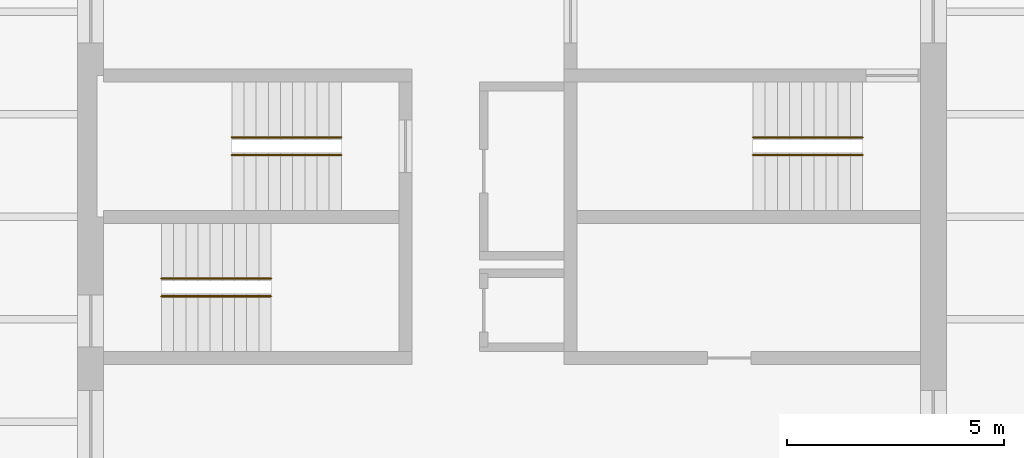
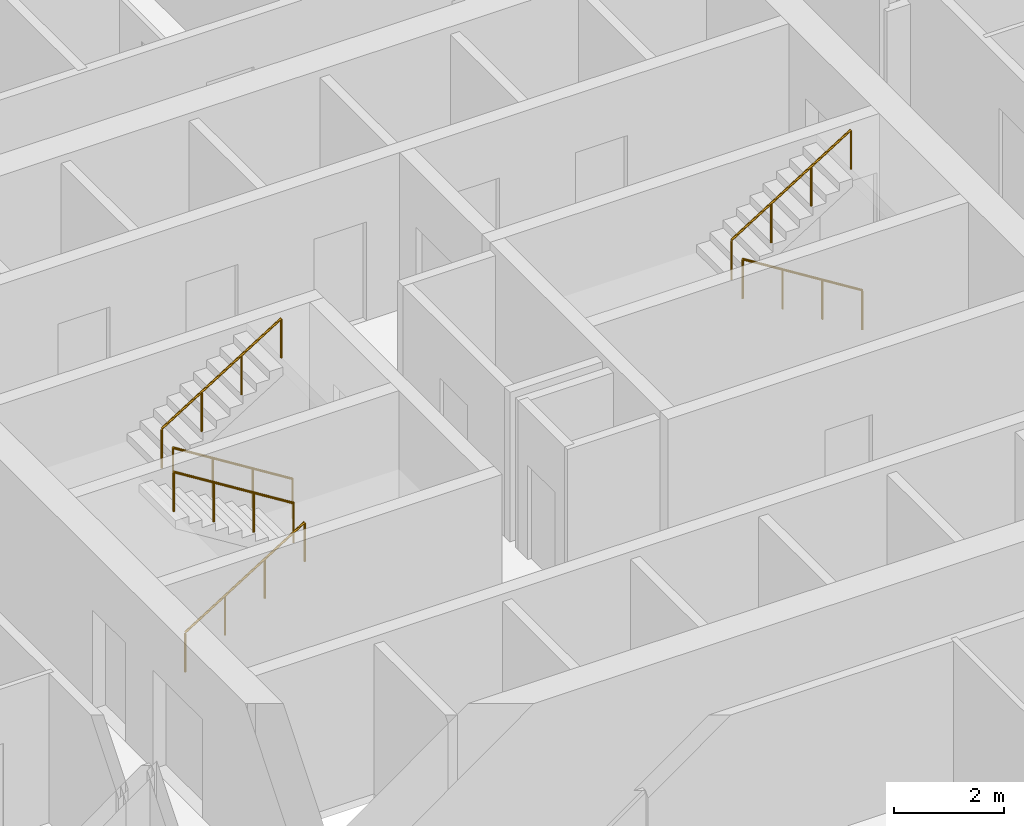
# One storey, part 9 of 9: 6 railings.
"""IFC4 building model written with IfcOpenShell, lengths in metres."""

from ifc_helpers import new_model, si_unit, direction, frame, origin, origin_2d, place, context, subcontext, project, spatial, circle, extrude, material, type_object, element, save


model = new_model("IFC4")

# Units and contexts
model_context = context("Model", 3, precision=1e-05, world=origin(), true_north=direction((0.0, 1.0)))
body_context = subcontext(model_context, "Body", "Model", "MODEL_VIEW")
ifc_project = project(units=[si_unit("LENGTHUNIT", "METRE"), si_unit("AREAUNIT", "SQUARE_METRE"), si_unit("VOLUMEUNIT", "CUBIC_METRE"), si_unit("PLANEANGLEUNIT", "RADIAN"), si_unit("MASSUNIT", "GRAM", prefix="KILO")], contexts=[model_context])

# Site, building, storey
site_placement = place(None, origin())
site = spatial("IfcSite", under=ifc_project, at=site_placement, CompositionType="ELEMENT")
building_placement = place(site_placement, origin())
building = spatial("IfcBuilding", under=site, at=building_placement, Name="Turquesa Mirador Hotel Tower", CompositionType="ELEMENT")
storey_placement = place(building_placement, frame((0.0, 0.0, 114.39990234375)))
storey = spatial("IfcBuildingStorey", under=building, at=storey_placement, Name="L30", CompositionType="ELEMENT", Elevation=114.39990234375)

# Railings
ifc_material = material(Name="Painted steel handrail", Category="steel")
railing_type = type_object("IfcRailingType", Name="HANDRAIL 900 STEEL", PredefinedType="HANDRAIL", material=ifc_material)
railing_1_placement = place(storey_placement, frame((51.070068359375, 46.419921875, 0.175048828125)))
element("IfcRailing", 1, at=railing_1_placement, inside=storey, type_object=railing_type, Name="Handrail ST1", PredefinedType="HANDRAIL", context=body_context, shape_type="SweptSolid", body=[
    extrude(circle(Radius=0.02392578125, at=origin_2d()), frame((0.0, 0.0, 0.8759765625), z_axis=(-0.848007534815, 0.0, 0.529984170421), x_axis=(0.0, -1.0, 0.0)), (0.0, 0.0, 1.0), 2.9716796875),
    extrude(circle(Radius=0.02099609375, at=origin_2d()), origin(), (0.0, 0.0, 1.0), 0.851806640625),
    extrude(circle(Radius=0.02099609375, at=origin_2d()), frame((-0.840087890625, 0.0, 0.52490234375)), (0.0, 0.0, 1.0), 0.851806640625),
    extrude(circle(Radius=0.02099609375, at=origin_2d()), frame((-1.679931640625, 0.0, 1.050048828125)), (0.0, 0.0, 1.0), 0.851806640625),
    extrude(circle(Radius=0.02099609375, at=origin_2d()), frame((-2.52001953125, 0.0, 1.574951171875)), (0.0, 0.0, 1.0), 0.851806640625),
])
for number, where, name in (
    (2, (48.550048828125, 46.830078125, 1.925048828125), "Handrail ST1"),
    (3, (46.929931640625, 43.169921875, 0.175048828125), "Handrail ST2"),
):
    element("IfcRailing", number, at=place(storey_placement, frame(where)), inside=storey, type_object=railing_type, Name=name, PredefinedType="HANDRAIL", context=body_context, shape_type="SweptSolid", body=[
        extrude(circle(Radius=0.02392578125, at=origin_2d()), frame((0.0, 0.0, 0.8759765625), z_axis=(0.848007534815, 0.0, 0.529984170421), x_axis=(0.0, 1.0, 0.0)), (0.0, 0.0, 1.0), 2.9716796875),
        extrude(circle(Radius=0.02099609375, at=origin_2d()), origin(), (0.0, 0.0, 1.0), 0.851806640625),
        extrude(circle(Radius=0.02099609375, at=origin_2d()), frame((0.840087890625, 0.0, 0.52490234375)), (0.0, 0.0, 1.0), 0.851806640625),
        extrude(circle(Radius=0.02099609375, at=origin_2d()), frame((1.679931640625, 0.0, 1.050048828125)), (0.0, 0.0, 1.0), 0.851806640625),
        extrude(circle(Radius=0.02099609375, at=origin_2d()), frame((2.52001953125, 0.0, 1.574951171875)), (0.0, 0.0, 1.0), 0.851806640625),
    ])
for number, where, name in (
    (4, (49.449951171875, 43.580078125, 1.925048828125), "Handrail ST2"),
    (5, (63.070068359375, 46.419921875, 0.175048828125), "Handrail ST3"),
):
    element("IfcRailing", number, at=place(storey_placement, frame(where)), inside=storey, type_object=railing_type, Name=name, PredefinedType="HANDRAIL", context=body_context, shape_type="SweptSolid", body=[
        extrude(circle(Radius=0.02392578125, at=origin_2d()), frame((0.0, 0.0, 0.8759765625), z_axis=(-0.848007534815, 0.0, 0.529984170421), x_axis=(0.0, -1.0, 0.0)), (0.0, 0.0, 1.0), 2.9716796875),
        extrude(circle(Radius=0.02099609375, at=origin_2d()), origin(), (0.0, 0.0, 1.0), 0.851806640625),
        extrude(circle(Radius=0.02099609375, at=origin_2d()), frame((-0.840087890625, 0.0, 0.52490234375)), (0.0, 0.0, 1.0), 0.851806640625),
        extrude(circle(Radius=0.02099609375, at=origin_2d()), frame((-1.679931640625, 0.0, 1.050048828125)), (0.0, 0.0, 1.0), 0.851806640625),
        extrude(circle(Radius=0.02099609375, at=origin_2d()), frame((-2.52001953125, 0.0, 1.574951171875)), (0.0, 0.0, 1.0), 0.851806640625),
    ])
railing_2_placement = place(storey_placement, frame((60.550048828125, 46.830078125, 1.925048828125)))
element("IfcRailing", 6, at=railing_2_placement, inside=storey, type_object=railing_type, Name="Handrail ST3", PredefinedType="HANDRAIL", context=body_context, shape_type="SweptSolid", body=[
    extrude(circle(Radius=0.02392578125, at=origin_2d()), frame((0.0, 0.0, 0.8759765625), z_axis=(0.848007534815, 0.0, 0.529984170421), x_axis=(0.0, 1.0, 0.0)), (0.0, 0.0, 1.0), 2.9716796875),
    extrude(circle(Radius=0.02099609375, at=origin_2d()), origin(), (0.0, 0.0, 1.0), 0.851806640625),
    extrude(circle(Radius=0.02099609375, at=origin_2d()), frame((0.840087890625, 0.0, 0.52490234375)), (0.0, 0.0, 1.0), 0.851806640625),
    extrude(circle(Radius=0.02099609375, at=origin_2d()), frame((1.679931640625, 0.0, 1.050048828125)), (0.0, 0.0, 1.0), 0.851806640625),
    extrude(circle(Radius=0.02099609375, at=origin_2d()), frame((2.52001953125, 0.0, 1.574951171875)), (0.0, 0.0, 1.0), 0.851806640625),
])

save(model, "model.ifc")
